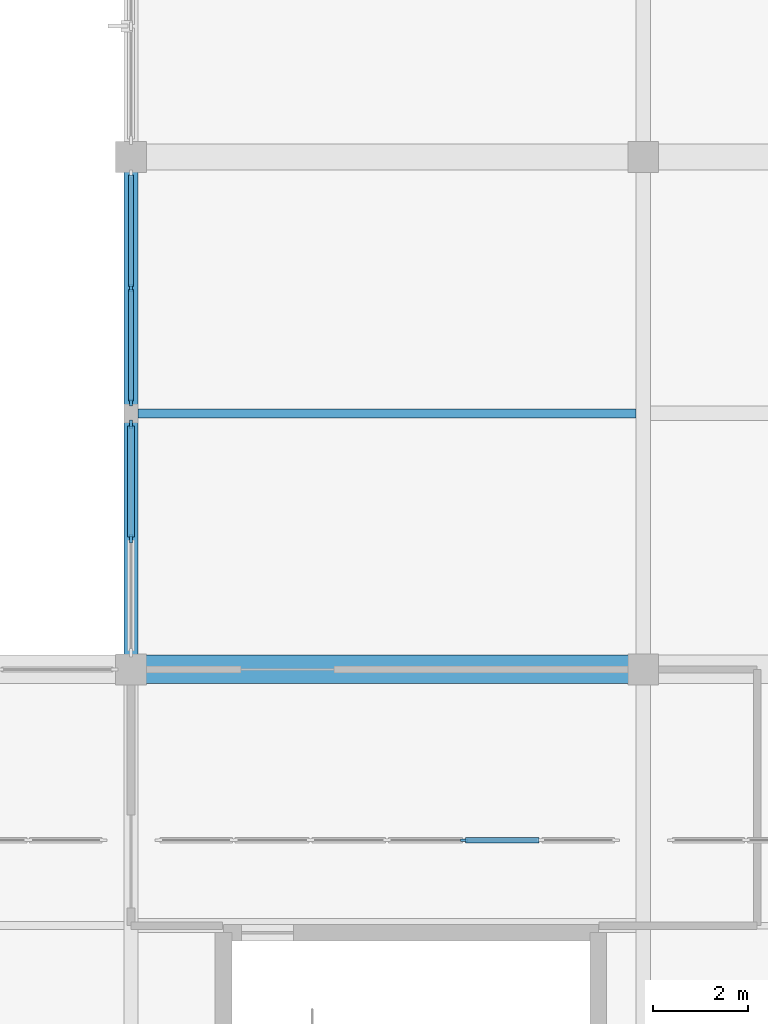
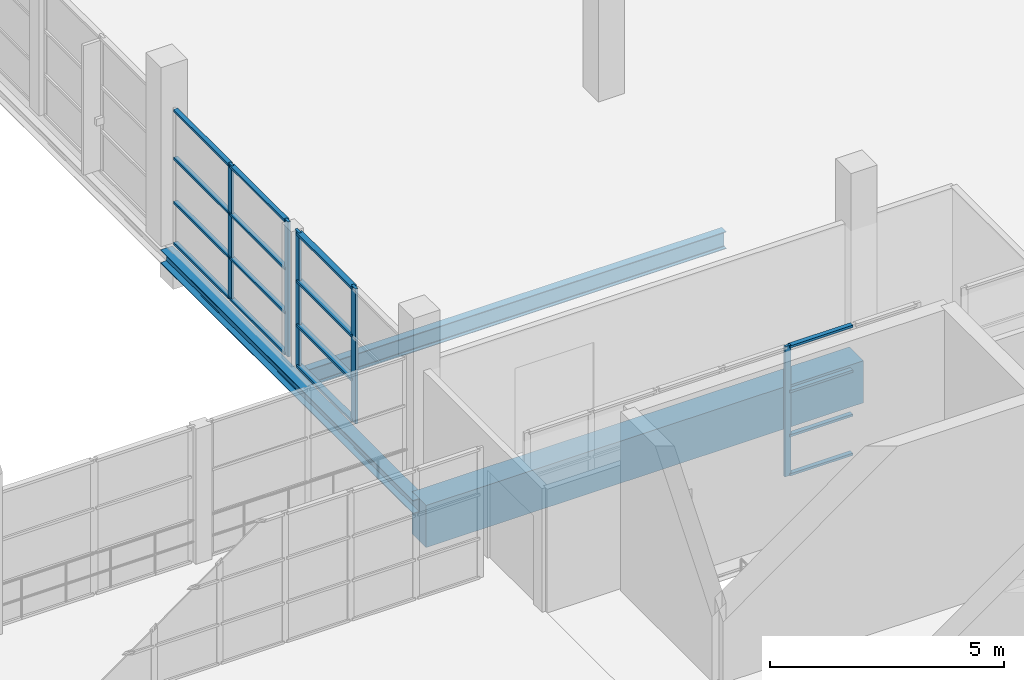
# One storey, part 61 of 142: 21 members, 3 beams, 3 elements without a shape of their own.
"""IFC4 building model written with IfcOpenShell, lengths in metres."""

from ifc_helpers import new_model, si_unit, direction, frame, origin, origin_2d, place, context, subcontext, project, spatial, rectangle, i_section, extrude, material, material_profile, profile_set, type_object, element, aggregate, save


model = new_model("IFC4")

# Units and contexts
model_context = context("Model", 3, precision=1e-05, world=origin(), true_north=direction((0.0, 1.0)))
body_context = subcontext(model_context, "Body", "Model", "MODEL_VIEW")
ifc_project = project(units=[si_unit("LENGTHUNIT", "METRE"), si_unit("AREAUNIT", "SQUARE_METRE"), si_unit("VOLUMEUNIT", "CUBIC_METRE"), si_unit("PLANEANGLEUNIT", "RADIAN"), si_unit("MASSUNIT", "GRAM", prefix="KILO")], contexts=[model_context])

# Site, building, storey
site_placement = place(None, origin())
site = spatial("IfcSite", under=ifc_project, at=site_placement, CompositionType="ELEMENT")
building_placement = place(site_placement, origin())
building = spatial("IfcBuilding", under=site, at=building_placement, Name="Zwinboog Wholesale Market", CompositionType="ELEMENT")
storey_placement = place(building_placement, frame((0.0, 0.0, 5.39990234375)))
storey = spatial("IfcBuildingStorey", under=building, at=storey_placement, Name="L01", CompositionType="ELEMENT", Elevation=5.39990234375)

# Beams
ifc_material_1 = material(Name="Precast concrete C45/55", Category="concrete")
ifc_material_profile_1 = material_profile(ifc_material_1, rectangle(XDim=0.60009765625, YDim=1.10009765625, at=origin_2d()), Name="PC 600x1100")
ifc_profile_set_1 = profile_set([ifc_material_profile_1], Name="Precast concrete C45/55")
beam_type_1 = type_object("IfcBeamType", Name="BT-01", PredefinedType="BEAM", material=ifc_profile_set_1)
beam_1_placement = place(storey_placement, frame((151.199951171875, 54.0, -0.8818359375), z_axis=(1.0, 0.0, 0.0), x_axis=(0.0, 1.0, 0.0)))
element("IfcBeam", 1, at=beam_1_placement, inside=storey, type_object=beam_type_1, Name="BG-01 (BMG-L01-1512-0540-0487)", PredefinedType="BEAM", context=body_context, shape_type="SweptSolid", body=[
    extrude(rectangle(XDim=0.60009765625, YDim=1.10009765625, at=origin_2d()), origin(), (0.0, 0.0, 1.0), 10.800048828125),
])
ifc_material_2 = material(Name="Steel S355", Category="steel")
ifc_material_profile_2 = material_profile(ifc_material_2, i_section(OverallWidth=0.300048828125, OverallDepth=0.35009765625, WebThickness=0.010009765625, FlangeThickness=0.017578125, FilletRadius=0.027099609375, at=origin_2d()), Name="HEA 360")
ifc_profile_set_2 = profile_set([ifc_material_profile_2], Name="Steel S355")
beam_type_2 = type_object("IfcBeamType", Name="BT-17", PredefinedType="BEAM", material=ifc_profile_set_2)
beam_2_placement = place(storey_placement, frame((151.199951171875, 54.0, -0.5068359375), z_axis=(0.0, 1.0, 0.0), x_axis=(-1.0, 0.0, 0.0)))
element("IfcBeam", 2, at=beam_2_placement, inside=storey, type_object=beam_type_2, Name="SB-04 (BMG-L01-1512-0540-0726)", PredefinedType="BEAM", context=body_context, shape_type="SweptSolid", body=[
    extrude(i_section(OverallWidth=0.300048828125, OverallDepth=0.35009765625, WebThickness=0.010009765625, FlangeThickness=0.017578125, FilletRadius=0.027099609375, at=origin_2d()), origin(), (0.0, 0.0, 1.0), 10.800048828125),
])
ifc_material_profile_3 = material_profile(ifc_material_2, i_section(OverallWidth=0.18994140625, OverallDepth=0.449951171875, WebThickness=0.009521484375, FlangeThickness=0.0146484375, FilletRadius=0.02099609375, at=origin_2d()), Name="IPE 450")
ifc_profile_set_3 = profile_set([ifc_material_profile_3], Name="Steel S355")
beam_type_3 = type_object("IfcBeamType", Name="BT-19", PredefinedType="JOIST", material=ifc_profile_set_3)
beam_3_placement = place(storey_placement, frame((151.35009765625, 59.39990234375, -0.52978515625), z_axis=(1.0, 0.0, 0.0), x_axis=(0.0, 1.0, 0.0)))
element("IfcBeam", 3, at=beam_3_placement, inside=storey, type_object=beam_type_3, Name="SJ-02 (BMG-L01-1514-0594-0847)", PredefinedType="JOIST", context=body_context, shape_type="SweptSolid", body=[
    extrude(i_section(OverallWidth=0.18994140625, OverallDepth=0.449951171875, WebThickness=0.009521484375, FlangeThickness=0.0146484375, FilletRadius=0.02099609375, at=origin_2d()), origin(), (0.0, 0.0, 1.0), 10.5),
])

# Curtain wall, members
ifc_material_3 = material(Name="Aluminium thermally broken curtain wall", Category="aluminium")
curtain_wall_type_1 = type_object("IfcCurtainWallType", Name="CWT-STALL-18", PredefinedType="USERDEFINED", material=ifc_material_3)
curtain_wall_1_placement = place(storey_placement, origin())
curtain_wall_1 = element("IfcCurtainWall", 4, at=curtain_wall_1_placement, inside=storey, type_object=curtain_wall_type_1, Name="CW-01 (CW-L01-127)", ObjectType="STOREFRONT_GLAZING", PredefinedType="USERDEFINED")
ifc_material_4 = material(Name="Aluminium EN AW-6060", Category="aluminium")
ifc_material_profile_4 = material_profile(ifc_material_4, rectangle(XDim=0.06494140625, YDim=0.179931640625, at=origin_2d()), Name="AL 65x180")
ifc_profile_set_4 = profile_set([ifc_material_profile_4], Name="Aluminium EN AW-6060")
member_type_1 = type_object("IfcMemberType", Name="CWM-65x180", PredefinedType="MULLION", material=ifc_profile_set_4)
member_1_placement = place(storey_placement, frame((151.199951171875, 56.760009765625, 0.0), z_axis=(0.0, 0.0, 1.0), x_axis=(-1.0, 0.0, 0.0)))
member_1 = element("IfcMember", 5, at=member_1_placement, type_object=member_type_1, Name="CW-01 mullion 2", PredefinedType="MULLION", context=body_context, shape_type="SweptSolid", body=[
    extrude(rectangle(XDim=0.06494140625, YDim=0.179931640625, at=origin_2d()), origin(), (0.0, 0.0, 1.0), 3.530029296875),
])
member_2_placement = place(storey_placement, frame((151.199951171875, 59.16748046875, 0.0), z_axis=(0.0, 0.0, 1.0), x_axis=(-1.0, 0.0, 0.0)))
member_2 = element("IfcMember", 6, at=member_2_placement, type_object=member_type_1, Name="CW-01 mullion 3", PredefinedType="MULLION", context=body_context, shape_type="SweptSolid", body=[
    extrude(rectangle(XDim=0.06494140625, YDim=0.179931640625, at=origin_2d()), origin(), (0.0, 0.0, 1.0), 3.530029296875),
])

curtain_wall_type_2 = type_object("IfcCurtainWallType", Name="CWT-STALL-20", PredefinedType="USERDEFINED", material=ifc_material_3)
curtain_wall_2_placement = place(storey_placement, origin())
curtain_wall_2 = element("IfcCurtainWall", 7, at=curtain_wall_2_placement, inside=storey, type_object=curtain_wall_type_2, Name="CW-02 (CW-L01-128)", ObjectType="STOREFRONT_GLAZING", PredefinedType="USERDEFINED")
ifc_material_profile_5 = material_profile(ifc_material_4, rectangle(XDim=0.06005859375, YDim=0.14990234375, at=origin_2d()), Name="AL 60x150")
ifc_profile_set_5 = profile_set([ifc_material_profile_5], Name="Aluminium EN AW-6060")
member_type_2 = type_object("IfcMemberType", Name="CWM-60x150", PredefinedType="MULLION", material=ifc_profile_set_5)
member_3_placement = place(storey_placement, frame((151.199951171875, 59.6298828125, 0.0), z_axis=(0.0, 0.0, 1.0), x_axis=(-1.0, 0.0, 0.0)))
member_3 = element("IfcMember", 8, at=member_3_placement, type_object=member_type_2, Name="CW-02 mullion 1", PredefinedType="MULLION", context=body_context, shape_type="SweptSolid", body=[
    extrude(rectangle(XDim=0.06005859375, YDim=0.14990234375, at=origin_2d()), origin(), (0.0, 0.0, 1.0), 3.530029296875),
])
member_4_placement = place(storey_placement, frame((151.199951171875, 62.0400390625, 0.0), z_axis=(0.0, 0.0, 1.0), x_axis=(-1.0, 0.0, 0.0)))
member_4 = element("IfcMember", 9, at=member_4_placement, type_object=member_type_2, Name="CW-02 mullion 2", PredefinedType="MULLION", context=body_context, shape_type="SweptSolid", body=[
    extrude(rectangle(XDim=0.06005859375, YDim=0.14990234375, at=origin_2d()), origin(), (0.0, 0.0, 1.0), 3.530029296875),
])

# Member
ifc_material_profile_6 = material_profile(ifc_material_4, rectangle(XDim=0.139892578125, YDim=0.06494140625, at=origin_2d()), Name="AL 65x140")
ifc_profile_set_6 = profile_set([ifc_material_profile_6], Name="Aluminium EN AW-6060")
member_type_3 = type_object("IfcMemberType", Name="CWT-65x140", PredefinedType="USERDEFINED", material=ifc_profile_set_6)
member_5_placement = place(storey_placement, frame((151.199951171875, 56.79248046875, 0.03271484375), z_axis=(0.0, 1.0, 0.0), x_axis=(-1.0, 0.0, 0.0)))
member_5 = element("IfcMember", 10, at=member_5_placement, type_object=member_type_3, Name="CW-01 transom 2.1", ObjectType="TRANSOM", PredefinedType="USERDEFINED", context=body_context, shape_type="SweptSolid", body=[
    extrude(rectangle(XDim=0.139892578125, YDim=0.06494140625, at=origin_2d()), origin(), (0.0, 0.0, 1.0), 2.342529296875),
])

member_6_placement = place(storey_placement, frame((151.199951171875, 56.79248046875, 1.10009765625), z_axis=(0.0, 1.0, 0.0), x_axis=(-1.0, 0.0, 0.0)))
member_6 = element("IfcMember", 11, at=member_6_placement, type_object=member_type_3, Name="CW-01 transom 2.2", ObjectType="TRANSOM", PredefinedType="USERDEFINED", context=body_context, shape_type="SweptSolid", body=[
    extrude(rectangle(XDim=0.139892578125, YDim=0.06494140625, at=origin_2d()), origin(), (0.0, 0.0, 1.0), 2.342529296875),
])

member_7_placement = place(storey_placement, frame((151.199951171875, 56.79248046875, 2.25), z_axis=(0.0, 1.0, 0.0), x_axis=(-1.0, 0.0, 0.0)))
member_7 = element("IfcMember", 12, at=member_7_placement, type_object=member_type_3, Name="CW-01 transom 2.3", ObjectType="TRANSOM", PredefinedType="USERDEFINED", context=body_context, shape_type="SweptSolid", body=[
    extrude(rectangle(XDim=0.139892578125, YDim=0.06494140625, at=origin_2d()), origin(), (0.0, 0.0, 1.0), 2.342529296875),
])

member_8_placement = place(storey_placement, frame((151.199951171875, 56.79248046875, 3.49755859375), z_axis=(0.0, 1.0, 0.0), x_axis=(-1.0, 0.0, 0.0)))
member_8 = element("IfcMember", 13, at=member_8_placement, type_object=member_type_3, Name="CW-01 transom 2.4", ObjectType="TRANSOM", PredefinedType="USERDEFINED", context=body_context, shape_type="SweptSolid", body=[
    extrude(rectangle(XDim=0.139892578125, YDim=0.06494140625, at=origin_2d()), origin(), (0.0, 0.0, 1.0), 2.342529296875),
])

aggregate(curtain_wall_1, [member_1, member_2, member_5, member_6, member_7, member_8])

ifc_material_profile_7 = material_profile(ifc_material_4, rectangle(XDim=0.110107421875, YDim=0.06005859375, at=origin_2d()), Name="AL 60x110")
ifc_profile_set_7 = profile_set([ifc_material_profile_7], Name="Aluminium EN AW-6060")
member_type_4 = type_object("IfcMemberType", Name="CWT-60x110", PredefinedType="USERDEFINED", material=ifc_profile_set_7)
member_9_placement = place(storey_placement, frame((151.199951171875, 59.659912109375, 0.030029296875), z_axis=(0.0, 1.0, 0.0), x_axis=(-1.0, 0.0, 0.0)))
member_9 = element("IfcMember", 14, at=member_9_placement, type_object=member_type_4, Name="CW-02 transom 1.1", ObjectType="TRANSOM", PredefinedType="USERDEFINED", context=body_context, shape_type="SweptSolid", body=[
    extrude(rectangle(XDim=0.110107421875, YDim=0.06005859375, at=origin_2d()), origin(), (0.0, 0.0, 1.0), 2.35009765625),
])

member_10_placement = place(storey_placement, frame((151.199951171875, 59.659912109375, 1.10009765625), z_axis=(0.0, 1.0, 0.0), x_axis=(-1.0, 0.0, 0.0)))
member_10 = element("IfcMember", 15, at=member_10_placement, type_object=member_type_4, Name="CW-02 transom 1.2", ObjectType="TRANSOM", PredefinedType="USERDEFINED", context=body_context, shape_type="SweptSolid", body=[
    extrude(rectangle(XDim=0.110107421875, YDim=0.06005859375, at=origin_2d()), origin(), (0.0, 0.0, 1.0), 2.35009765625),
])

member_11_placement = place(storey_placement, frame((151.199951171875, 59.659912109375, 2.25), z_axis=(0.0, 1.0, 0.0), x_axis=(-1.0, 0.0, 0.0)))
member_11 = element("IfcMember", 16, at=member_11_placement, type_object=member_type_4, Name="CW-02 transom 1.3", ObjectType="TRANSOM", PredefinedType="USERDEFINED", context=body_context, shape_type="SweptSolid", body=[
    extrude(rectangle(XDim=0.110107421875, YDim=0.06005859375, at=origin_2d()), origin(), (0.0, 0.0, 1.0), 2.35009765625),
])

member_12_placement = place(storey_placement, frame((151.199951171875, 59.659912109375, 3.5), z_axis=(0.0, 1.0, 0.0), x_axis=(-1.0, 0.0, 0.0)))
member_12 = element("IfcMember", 17, at=member_12_placement, type_object=member_type_4, Name="CW-02 transom 1.4", ObjectType="TRANSOM", PredefinedType="USERDEFINED", context=body_context, shape_type="SweptSolid", body=[
    extrude(rectangle(XDim=0.110107421875, YDim=0.06005859375, at=origin_2d()), origin(), (0.0, 0.0, 1.0), 2.35009765625),
])

member_13_placement = place(storey_placement, frame((151.199951171875, 62.070068359375, 0.030029296875), z_axis=(0.0, 1.0, 0.0), x_axis=(-1.0, 0.0, 0.0)))
member_13 = element("IfcMember", 18, at=member_13_placement, type_object=member_type_4, Name="CW-02 transom 2.1", ObjectType="TRANSOM", PredefinedType="USERDEFINED", context=body_context, shape_type="SweptSolid", body=[
    extrude(rectangle(XDim=0.110107421875, YDim=0.06005859375, at=origin_2d()), origin(), (0.0, 0.0, 1.0), 2.349853515625),
])

member_14_placement = place(storey_placement, frame((151.199951171875, 62.070068359375, 1.10009765625), z_axis=(0.0, 1.0, 0.0), x_axis=(-1.0, 0.0, 0.0)))
member_14 = element("IfcMember", 19, at=member_14_placement, type_object=member_type_4, Name="CW-02 transom 2.2", ObjectType="TRANSOM", PredefinedType="USERDEFINED", context=body_context, shape_type="SweptSolid", body=[
    extrude(rectangle(XDim=0.110107421875, YDim=0.06005859375, at=origin_2d()), origin(), (0.0, 0.0, 1.0), 2.349853515625),
])

member_15_placement = place(storey_placement, frame((151.199951171875, 62.070068359375, 2.25), z_axis=(0.0, 1.0, 0.0), x_axis=(-1.0, 0.0, 0.0)))
member_15 = element("IfcMember", 20, at=member_15_placement, type_object=member_type_4, Name="CW-02 transom 2.3", ObjectType="TRANSOM", PredefinedType="USERDEFINED", context=body_context, shape_type="SweptSolid", body=[
    extrude(rectangle(XDim=0.110107421875, YDim=0.06005859375, at=origin_2d()), origin(), (0.0, 0.0, 1.0), 2.349853515625),
])

member_16_placement = place(storey_placement, frame((151.199951171875, 62.070068359375, 3.5), z_axis=(0.0, 1.0, 0.0), x_axis=(-1.0, 0.0, 0.0)))
member_16 = element("IfcMember", 21, at=member_16_placement, type_object=member_type_4, Name="CW-02 transom 2.4", ObjectType="TRANSOM", PredefinedType="USERDEFINED", context=body_context, shape_type="SweptSolid", body=[
    extrude(rectangle(XDim=0.110107421875, YDim=0.06005859375, at=origin_2d()), origin(), (0.0, 0.0, 1.0), 2.349853515625),
])

aggregate(curtain_wall_2, [member_3, member_4, member_9, member_10, member_11, member_12, member_13, member_14, member_15, member_16])

# Curtain wall, members
curtain_wall_type_3 = type_object("IfcCurtainWallType", Name="CWT-INT-STALL", PredefinedType="USERDEFINED", material=ifc_material_3)
curtain_wall_3_placement = place(storey_placement, origin())
curtain_wall_3 = element("IfcCurtainWall", 22, at=curtain_wall_3_placement, inside=storey, type_object=curtain_wall_type_3, Name="CW-07 (CW-STL-233)", ObjectType="STOREFRONT_GLAZING", PredefinedType="USERDEFINED")
ifc_material_profile_8 = material_profile(ifc_material_4, rectangle(XDim=0.06005859375, YDim=0.14990234375, at=origin_2d()), Name="AL 60x150")
ifc_profile_set_8 = profile_set([ifc_material_profile_8], Name="Aluminium EN AW-6060")
member_type_5 = type_object("IfcMemberType", Name="CWM-INT-60x120", PredefinedType="MULLION", material=ifc_profile_set_8)
member_17_placement = place(storey_placement, frame((158.216552734375, 50.39990234375, 0.0), z_axis=(0.0, 0.0, 1.0), x_axis=(0.0, 1.0, 0.0)))
member_17 = element("IfcMember", 23, at=member_17_placement, type_object=member_type_5, Name="CW-07 mullion 5", PredefinedType="MULLION", context=body_context, shape_type="SweptSolid", body=[
    extrude(rectangle(XDim=0.06005859375, YDim=0.14990234375, at=origin_2d()), origin(), (0.0, 0.0, 1.0), 3.400146484375),
])
ifc_material_profile_9 = material_profile(ifc_material_4, rectangle(XDim=0.110107421875, YDim=0.06005859375, at=origin_2d()), Name="AL 60x110")
ifc_profile_set_9 = profile_set([ifc_material_profile_9], Name="Aluminium EN AW-6060")
member_type_6 = type_object("IfcMemberType", Name="CWT-INT-60x100", PredefinedType="USERDEFINED", material=ifc_profile_set_9)
member_18_placement = place(storey_placement, frame((158.24658203125, 50.39990234375, 0.030029296875), z_axis=(1.0, 0.0, 0.0), x_axis=(0.0, 1.0, 0.0)))
member_18 = element("IfcMember", 24, at=member_18_placement, type_object=member_type_6, Name="CW-07 transom 5.1", ObjectType="TRANSOM", PredefinedType="USERDEFINED", context=body_context, shape_type="SweptSolid", body=[
    extrude(rectangle(XDim=0.110107421875, YDim=0.06005859375, at=origin_2d()), origin(), (0.0, 0.0, 1.0), 1.556640625),
])
member_19_placement = place(storey_placement, frame((158.24658203125, 50.39990234375, 1.050048828125), z_axis=(1.0, 0.0, 0.0), x_axis=(0.0, 1.0, 0.0)))
member_19 = element("IfcMember", 25, at=member_19_placement, type_object=member_type_6, Name="CW-07 transom 5.2", ObjectType="TRANSOM", PredefinedType="USERDEFINED", context=body_context, shape_type="SweptSolid", body=[
    extrude(rectangle(XDim=0.110107421875, YDim=0.06005859375, at=origin_2d()), origin(), (0.0, 0.0, 1.0), 1.556640625),
])
member_20_placement = place(storey_placement, frame((158.24658203125, 50.39990234375, 2.2001953125), z_axis=(1.0, 0.0, 0.0), x_axis=(0.0, 1.0, 0.0)))
member_20 = element("IfcMember", 26, at=member_20_placement, type_object=member_type_6, Name="CW-07 transom 5.3", ObjectType="TRANSOM", PredefinedType="USERDEFINED", context=body_context, shape_type="SweptSolid", body=[
    extrude(rectangle(XDim=0.110107421875, YDim=0.06005859375, at=origin_2d()), origin(), (0.0, 0.0, 1.0), 1.556640625),
])
member_21_placement = place(storey_placement, frame((158.24658203125, 50.39990234375, 3.3701171875), z_axis=(1.0, 0.0, 0.0), x_axis=(0.0, 1.0, 0.0)))
member_21 = element("IfcMember", 27, at=member_21_placement, type_object=member_type_6, Name="CW-07 transom 5.4", ObjectType="TRANSOM", PredefinedType="USERDEFINED", context=body_context, shape_type="SweptSolid", body=[
    extrude(rectangle(XDim=0.110107421875, YDim=0.06005859375, at=origin_2d()), origin(), (0.0, 0.0, 1.0), 1.556640625),
])
aggregate(curtain_wall_3, [member_17, member_18, member_19, member_20, member_21])

save(model, "model.ifc")
